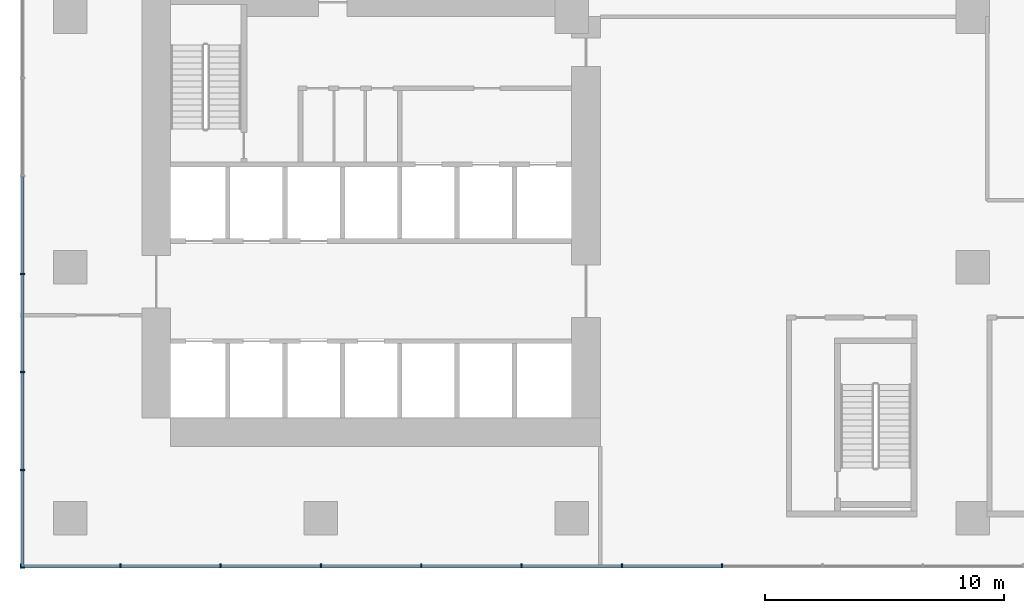
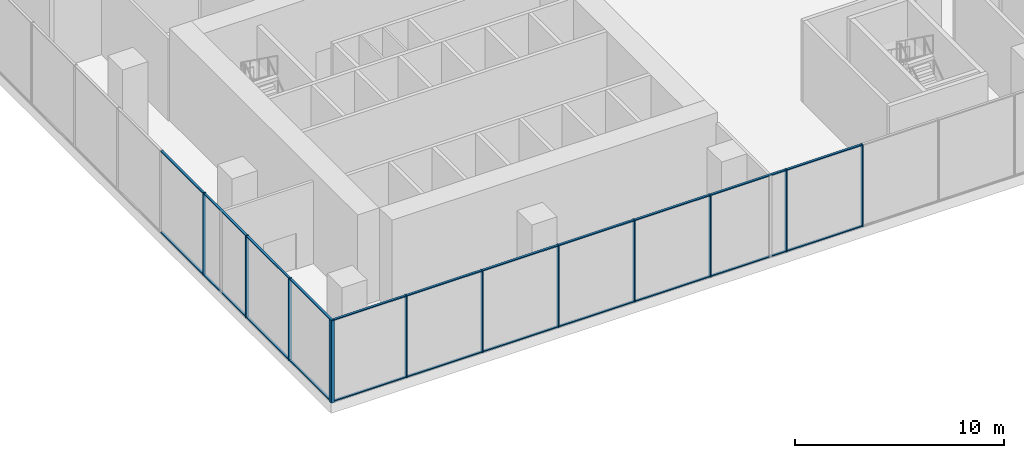
# One storey, part 2 of 24: 34 members, 2 elements without a shape of their own.
"""IFC4 building model written with IfcOpenShell, lengths in metres."""

from ifc_helpers import new_model, si_unit, direction, frame, origin, origin_2d, place, context, subcontext, project, spatial, rectangle, extrude, source, transform, mapped, material, layer, layer_set, material_profile, profile_set, type_object, element, aggregate, save


model = new_model("IFC4")

# Units and contexts
model_context = context("Model", 3, precision=1e-05, world=origin(), true_north=direction((0.0, 1.0)))
body_context = subcontext(model_context, "Body", "Model", "MODEL_VIEW")
ifc_project = project(units=[si_unit("LENGTHUNIT", "METRE"), si_unit("AREAUNIT", "SQUARE_METRE"), si_unit("VOLUMEUNIT", "CUBIC_METRE"), si_unit("PLANEANGLEUNIT", "RADIAN"), si_unit("MASSUNIT", "GRAM", prefix="KILO")], contexts=[model_context])

# Site, building, storey
site_placement = place(None, origin())
site = spatial("IfcSite", under=ifc_project, at=site_placement, CompositionType="ELEMENT")
building_placement = place(site_placement, origin())
building = spatial("IfcBuilding", under=site, at=building_placement, Name="Aurelian Terraces", CompositionType="ELEMENT")
storey_placement = place(building_placement, frame((0.0, 0.0, 12.9)))
storey = spatial("IfcBuildingStorey", under=building, at=storey_placement, Name="L02", CompositionType="ELEMENT", Elevation=12.9)

# Curtain wall, members
ifc_material_1 = material(Name="Anodised aluminium and clear glazing", Category="aluminium")
ifc_layer = layer(ifc_material_1, 0.2)
ifc_layer_set = layer_set([ifc_layer], Name="Winter garden glazing curtain wall")
curtain_wall_type = type_object("IfcCurtainWallType", Name="Winter garden glazing curtain wall", PredefinedType="NOTDEFINED", material=ifc_layer_set)
curtain_wall_1_placement = place(storey_placement, origin())
curtain_wall_1 = element("IfcCurtainWall", 1, at=curtain_wall_1_placement, inside=storey, type_object=curtain_wall_type, Name="Winter garden glazing L02 F01.1", PredefinedType="NOTDEFINED")
ifc_material_2 = material(Name="Anodised aluminium", Category="aluminium")
ifc_material_profile_1 = material_profile(ifc_material_2, rectangle(XDim=0.18, YDim=0.06, at=origin_2d()))
ifc_profile_set_1 = profile_set([ifc_material_profile_1], Name="Anodised aluminium")
member_type_1 = type_object("IfcMemberType", Name="Winter garden glazing mullion", PredefinedType="MULLION", material=ifc_profile_set_1)
member_1_placement = place(storey_placement, frame((-2.07, -2.0, 0.0), z_axis=(0.0, 0.0, 1.0), x_axis=(0.0, 1.0, 0.0)))
member_1 = element("IfcMember", 2, at=member_1_placement, type_object=member_type_1, Name="CW6 mullion 1", PredefinedType="MULLION", context=body_context, shape_type="SweptSolid", body=[
    extrude(rectangle(XDim=0.18, YDim=0.06, at=origin_2d()), origin(), (0.0, 0.0, 1.0), 4.8),
])
ifc_material_profile_2 = material_profile(ifc_material_2, rectangle(XDim=0.12, YDim=0.06, at=origin_2d()))
ifc_profile_set_2 = profile_set([ifc_material_profile_2], Name="Anodised aluminium")
member_type_2 = type_object("IfcMemberType", Name="Winter garden glazing transom", PredefinedType="USERDEFINED", material=ifc_profile_set_2)
member_2_placement = place(storey_placement, frame((-2.04, -2.0, 0.03), z_axis=(1.0, 0.0, 0.0), x_axis=(0.0, 1.0, 0.0)))
member_2 = element("IfcMember", 3, at=member_2_placement, type_object=member_type_2, Name="CW6 transom 1.1", ObjectType="TRANSOM", PredefinedType="USERDEFINED", context=body_context, shape_type="SweptSolid", body=[
    extrude(rectangle(XDim=0.12, YDim=0.06, at=origin_2d()), origin(), (0.0, 0.0, 1.0), 4.11),
])
member_3_placement = place(storey_placement, frame((2.13, -2.0, 0.03), z_axis=(1.0, 0.0, 0.0), x_axis=(0.0, 1.0, 0.0)))
member_3 = element("IfcMember", 4, at=member_3_placement, type_object=member_type_2, Name="CW6 transom 2.1", ObjectType="TRANSOM", PredefinedType="USERDEFINED", context=body_context, shape_type="SweptSolid", body=[
    extrude(rectangle(XDim=0.12, YDim=0.06, at=origin_2d()), origin(), (0.0, 0.0, 1.0), 4.14),
])
shared_shape_1 = source(origin(), body_context, "Body", "SweptSolid", [
    extrude(rectangle(XDim=0.18, YDim=0.06, at=origin_2d()), origin(), (0.0, 0.0, 1.0), 4.8),
])
member_4_placement = place(storey_placement, frame((2.1, -2.0, 0.0), z_axis=(0.0, 0.0, 1.0), x_axis=(0.0, 1.0, 0.0)))
member_4 = element("IfcMember", 5, at=member_4_placement, type_object=member_type_1, Name="CW6 mullion 2", PredefinedType="MULLION", context=body_context, shape_type="MappedRepresentation", body=[
    mapped(shared_shape_1, transform((0.0, 0.0, 0.0), scale=1.0)),
])
member_5_placement = place(storey_placement, frame((6.3, -2.0, 0.0), z_axis=(0.0, 0.0, 1.0), x_axis=(0.0, 1.0, 0.0)))
member_5 = element("IfcMember", 6, at=member_5_placement, type_object=member_type_1, Name="CW6 mullion 3", PredefinedType="MULLION", context=body_context, shape_type="MappedRepresentation", body=[
    mapped(shared_shape_1, transform((0.0, 0.0, 0.0), scale=1.0)),
])
member_6_placement = place(storey_placement, frame((10.5, -2.0, 0.0), z_axis=(0.0, 0.0, 1.0), x_axis=(0.0, 1.0, 0.0)))
member_6 = element("IfcMember", 7, at=member_6_placement, type_object=member_type_1, Name="CW6 mullion 4", PredefinedType="MULLION", context=body_context, shape_type="MappedRepresentation", body=[
    mapped(shared_shape_1, transform((0.0, 0.0, 0.0), scale=1.0)),
])
member_7_placement = place(storey_placement, frame((14.7, -2.0, 0.0), z_axis=(0.0, 0.0, 1.0), x_axis=(0.0, 1.0, 0.0)))
member_7 = element("IfcMember", 8, at=member_7_placement, type_object=member_type_1, Name="CW6 mullion 5", PredefinedType="MULLION", context=body_context, shape_type="MappedRepresentation", body=[
    mapped(shared_shape_1, transform((0.0, 0.0, 0.0), scale=1.0)),
])
member_8_placement = place(storey_placement, frame((18.9, -2.0, 0.0), z_axis=(0.0, 0.0, 1.0), x_axis=(0.0, 1.0, 0.0)))
member_8 = element("IfcMember", 9, at=member_8_placement, type_object=member_type_1, Name="CW6 mullion 6", PredefinedType="MULLION", context=body_context, shape_type="MappedRepresentation", body=[
    mapped(shared_shape_1, transform((0.0, 0.0, 0.0), scale=1.0)),
])
member_9_placement = place(storey_placement, frame((23.1, -2.0, 0.0), z_axis=(0.0, 0.0, 1.0), x_axis=(0.0, 1.0, 0.0)))
member_9 = element("IfcMember", 10, at=member_9_placement, type_object=member_type_1, Name="CW6 mullion 7", PredefinedType="MULLION", context=body_context, shape_type="MappedRepresentation", body=[
    mapped(shared_shape_1, transform((0.0, 0.0, 0.0), scale=1.0)),
])
member_10_placement = place(storey_placement, frame((27.3, -2.0, 0.0), z_axis=(0.0, 0.0, 1.0), x_axis=(0.0, 1.0, 0.0)))
member_10 = element("IfcMember", 11, at=member_10_placement, type_object=member_type_1, Name="CW6 mullion 8", PredefinedType="MULLION", context=body_context, shape_type="MappedRepresentation", body=[
    mapped(shared_shape_1, transform((0.0, 0.0, 0.0), scale=1.0)),
])

curtain_wall_2_placement = place(storey_placement, origin())
curtain_wall_2 = element("IfcCurtainWall", 12, at=curtain_wall_2_placement, inside=storey, type_object=curtain_wall_type, Name="Winter garden glazing L02 F06.1", PredefinedType="NOTDEFINED")
member_11_placement = place(storey_placement, frame((-2.0, 10.22, 0.0), z_axis=(0.0, 0.0, 1.0), x_axis=(1.0, 0.0, 0.0)))
member_11 = element("IfcMember", 13, at=member_11_placement, type_object=member_type_1, Name="CW6 mullion 16", PredefinedType="MULLION", context=body_context, shape_type="MappedRepresentation", body=[
    mapped(shared_shape_1, transform((0.0, 0.0, 0.0), scale=1.0)),
])
member_12_placement = place(storey_placement, frame((-2.0, 6.1133, 0.0), z_axis=(0.0, 0.0, 1.0), x_axis=(1.0, 0.0, 0.0)))
member_12 = element("IfcMember", 14, at=member_12_placement, type_object=member_type_1, Name="CW6 mullion 17", PredefinedType="MULLION", context=body_context, shape_type="MappedRepresentation", body=[
    mapped(shared_shape_1, transform((0.0, 0.0, 0.0), scale=1.0)),
])
member_13_placement = place(storey_placement, frame((-2.0, 2.0067, 0.0), z_axis=(0.0, 0.0, 1.0), x_axis=(1.0, 0.0, 0.0)))
member_13 = element("IfcMember", 15, at=member_13_placement, type_object=member_type_1, Name="CW6 mullion 18", PredefinedType="MULLION", context=body_context, shape_type="MappedRepresentation", body=[
    mapped(shared_shape_1, transform((0.0, 0.0, 0.0), scale=1.0)),
])
member_14_placement = place(storey_placement, frame((-2.0, -2.07, 0.0), z_axis=(0.0, 0.0, 1.0), x_axis=(1.0, 0.0, 0.0)))
member_14 = element("IfcMember", 16, at=member_14_placement, type_object=member_type_1, Name="CW6 mullion 19", PredefinedType="MULLION", context=body_context, shape_type="MappedRepresentation", body=[
    mapped(shared_shape_1, transform((0.0, 0.0, 0.0), scale=1.0)),
])

# Member
shared_shape_2 = source(origin(), body_context, "Body", "SweptSolid", [
    extrude(rectangle(XDim=0.12, YDim=0.06, at=origin_2d()), origin(), (0.0, 0.0, 1.0), 4.11),
])
member_15_placement = place(storey_placement, frame((-2.04, -2.0, 4.77), z_axis=(1.0, 0.0, 0.0), x_axis=(0.0, 1.0, 0.0)))
member_15 = element("IfcMember", 17, at=member_15_placement, type_object=member_type_2, Name="CW6 transom 1.2", ObjectType="TRANSOM", PredefinedType="USERDEFINED", context=body_context, shape_type="MappedRepresentation", body=[
    mapped(shared_shape_2, transform((0.0, 0.0, 0.0), scale=1.0)),
])

shared_shape_3 = source(origin(), body_context, "Body", "SweptSolid", [
    extrude(rectangle(XDim=0.12, YDim=0.06, at=origin_2d()), origin(), (0.0, 0.0, 1.0), 4.14),
])
member_16_placement = place(storey_placement, frame((2.13, -2.0, 4.77), z_axis=(1.0, 0.0, 0.0), x_axis=(0.0, 1.0, 0.0)))
member_16 = element("IfcMember", 18, at=member_16_placement, type_object=member_type_2, Name="CW6 transom 2.2", ObjectType="TRANSOM", PredefinedType="USERDEFINED", context=body_context, shape_type="MappedRepresentation", body=[
    mapped(shared_shape_3, transform((0.0, 0.0, 0.0), scale=1.0)),
])

member_17_placement = place(storey_placement, frame((6.33, -2.0, 0.03), z_axis=(1.0, 0.0, 0.0), x_axis=(0.0, 1.0, 0.0)))
member_17 = element("IfcMember", 19, at=member_17_placement, type_object=member_type_2, Name="CW6 transom 3.1", ObjectType="TRANSOM", PredefinedType="USERDEFINED", context=body_context, shape_type="MappedRepresentation", body=[
    mapped(shared_shape_3, transform((0.0, 0.0, 0.0), scale=1.0)),
])

member_18_placement = place(storey_placement, frame((6.33, -2.0, 4.77), z_axis=(1.0, 0.0, 0.0), x_axis=(0.0, 1.0, 0.0)))
member_18 = element("IfcMember", 20, at=member_18_placement, type_object=member_type_2, Name="CW6 transom 3.2", ObjectType="TRANSOM", PredefinedType="USERDEFINED", context=body_context, shape_type="MappedRepresentation", body=[
    mapped(shared_shape_3, transform((0.0, 0.0, 0.0), scale=1.0)),
])

member_19_placement = place(storey_placement, frame((10.53, -2.0, 0.03), z_axis=(1.0, 0.0, 0.0), x_axis=(0.0, 1.0, 0.0)))
member_19 = element("IfcMember", 21, at=member_19_placement, type_object=member_type_2, Name="CW6 transom 4.1", ObjectType="TRANSOM", PredefinedType="USERDEFINED", context=body_context, shape_type="MappedRepresentation", body=[
    mapped(shared_shape_3, transform((0.0, 0.0, 0.0), scale=1.0)),
])

member_20_placement = place(storey_placement, frame((10.53, -2.0, 4.77), z_axis=(1.0, 0.0, 0.0), x_axis=(0.0, 1.0, 0.0)))
member_20 = element("IfcMember", 22, at=member_20_placement, type_object=member_type_2, Name="CW6 transom 4.2", ObjectType="TRANSOM", PredefinedType="USERDEFINED", context=body_context, shape_type="MappedRepresentation", body=[
    mapped(shared_shape_3, transform((0.0, 0.0, 0.0), scale=1.0)),
])

member_21_placement = place(storey_placement, frame((14.73, -2.0, 0.03), z_axis=(1.0, 0.0, 0.0), x_axis=(0.0, 1.0, 0.0)))
member_21 = element("IfcMember", 23, at=member_21_placement, type_object=member_type_2, Name="CW6 transom 5.1", ObjectType="TRANSOM", PredefinedType="USERDEFINED", context=body_context, shape_type="MappedRepresentation", body=[
    mapped(shared_shape_3, transform((0.0, 0.0, 0.0), scale=1.0)),
])

member_22_placement = place(storey_placement, frame((14.73, -2.0, 4.77), z_axis=(1.0, 0.0, 0.0), x_axis=(0.0, 1.0, 0.0)))
member_22 = element("IfcMember", 24, at=member_22_placement, type_object=member_type_2, Name="CW6 transom 5.2", ObjectType="TRANSOM", PredefinedType="USERDEFINED", context=body_context, shape_type="MappedRepresentation", body=[
    mapped(shared_shape_3, transform((0.0, 0.0, 0.0), scale=1.0)),
])

member_23_placement = place(storey_placement, frame((18.93, -2.0, 0.03), z_axis=(1.0, 0.0, 0.0), x_axis=(0.0, 1.0, 0.0)))
member_23 = element("IfcMember", 25, at=member_23_placement, type_object=member_type_2, Name="CW6 transom 6.1", ObjectType="TRANSOM", PredefinedType="USERDEFINED", context=body_context, shape_type="MappedRepresentation", body=[
    mapped(shared_shape_3, transform((0.0, 0.0, 0.0), scale=1.0)),
])

member_24_placement = place(storey_placement, frame((18.93, -2.0, 4.77), z_axis=(1.0, 0.0, 0.0), x_axis=(0.0, 1.0, 0.0)))
member_24 = element("IfcMember", 26, at=member_24_placement, type_object=member_type_2, Name="CW6 transom 6.2", ObjectType="TRANSOM", PredefinedType="USERDEFINED", context=body_context, shape_type="MappedRepresentation", body=[
    mapped(shared_shape_3, transform((0.0, 0.0, 0.0), scale=1.0)),
])

member_25_placement = place(storey_placement, frame((23.13, -2.0, 0.03), z_axis=(1.0, 0.0, 0.0), x_axis=(0.0, 1.0, 0.0)))
member_25 = element("IfcMember", 27, at=member_25_placement, type_object=member_type_2, Name="CW6 transom 7.1", ObjectType="TRANSOM", PredefinedType="USERDEFINED", context=body_context, shape_type="MappedRepresentation", body=[
    mapped(shared_shape_3, transform((0.0, 0.0, 0.0), scale=1.0)),
])

member_26_placement = place(storey_placement, frame((23.13, -2.0, 4.77), z_axis=(1.0, 0.0, 0.0), x_axis=(0.0, 1.0, 0.0)))
member_26 = element("IfcMember", 28, at=member_26_placement, type_object=member_type_2, Name="CW6 transom 7.2", ObjectType="TRANSOM", PredefinedType="USERDEFINED", context=body_context, shape_type="MappedRepresentation", body=[
    mapped(shared_shape_3, transform((0.0, 0.0, 0.0), scale=1.0)),
])

aggregate(curtain_wall_1, [member_1, member_4, member_5, member_6, member_7, member_8, member_9, member_10, member_2, member_15, member_3, member_16, member_17, member_18, member_19, member_20, member_21, member_22, member_23, member_24, member_25, member_26])

shared_shape_4 = source(origin(), body_context, "Body", "SweptSolid", [
    extrude(rectangle(XDim=0.12, YDim=0.06, at=origin_2d()), origin(), (0.0, 0.0, 1.0), 4.0167),
])
member_27_placement = place(storey_placement, frame((-2.0, 1.9767, 0.03), z_axis=(0.0, -1.0, 0.0), x_axis=(1.0, 0.0, 0.0)))
member_27 = element("IfcMember", 29, at=member_27_placement, type_object=member_type_2, Name="CW6 transom 18.1", ObjectType="TRANSOM", PredefinedType="USERDEFINED", context=body_context, shape_type="MappedRepresentation", body=[
    mapped(shared_shape_4, transform((0.0, 0.0, 0.0), scale=1.0)),
])

member_28_placement = place(storey_placement, frame((-2.0, 1.9767, 4.77), z_axis=(0.0, -1.0, 0.0), x_axis=(1.0, 0.0, 0.0)))
member_28 = element("IfcMember", 30, at=member_28_placement, type_object=member_type_2, Name="CW6 transom 18.2", ObjectType="TRANSOM", PredefinedType="USERDEFINED", context=body_context, shape_type="MappedRepresentation", body=[
    mapped(shared_shape_4, transform((0.0, 0.0, 0.0), scale=1.0)),
])

shared_shape_5 = source(origin(), body_context, "Body", "SweptSolid", [
    extrude(rectangle(XDim=0.12, YDim=0.06, at=origin_2d()), origin(), (0.0, 0.0, 1.0), 4.0466),
])
member_29_placement = place(storey_placement, frame((-2.0, 6.0833, 0.03), z_axis=(0.0, -1.0, 0.0), x_axis=(1.0, 0.0, 0.0)))
member_29 = element("IfcMember", 31, at=member_29_placement, type_object=member_type_2, Name="CW6 transom 17.1", ObjectType="TRANSOM", PredefinedType="USERDEFINED", context=body_context, shape_type="MappedRepresentation", body=[
    mapped(shared_shape_5, transform((0.0, 0.0, 0.0), scale=1.0)),
])

member_30_placement = place(storey_placement, frame((-2.0, 6.0833, 4.77), z_axis=(0.0, -1.0, 0.0), x_axis=(1.0, 0.0, 0.0)))
member_30 = element("IfcMember", 32, at=member_30_placement, type_object=member_type_2, Name="CW6 transom 17.2", ObjectType="TRANSOM", PredefinedType="USERDEFINED", context=body_context, shape_type="MappedRepresentation", body=[
    mapped(shared_shape_5, transform((0.0, 0.0, 0.0), scale=1.0)),
])

shared_shape_6 = source(origin(), body_context, "Body", "SweptSolid", [
    extrude(rectangle(XDim=0.12, YDim=0.06, at=origin_2d()), origin(), (0.0, 0.0, 1.0), 4.0467),
])
member_31_placement = place(storey_placement, frame((-2.0, 14.2967, 0.03), z_axis=(0.0, -1.0, 0.0), x_axis=(1.0, 0.0, 0.0)))
member_31 = element("IfcMember", 33, at=member_31_placement, type_object=member_type_2, Name="CW6 transom 15.1", ObjectType="TRANSOM", PredefinedType="USERDEFINED", context=body_context, shape_type="MappedRepresentation", body=[
    mapped(shared_shape_6, transform((0.0, 0.0, 0.0), scale=1.0)),
])

member_32_placement = place(storey_placement, frame((-2.0, 14.2967, 4.77), z_axis=(0.0, -1.0, 0.0), x_axis=(1.0, 0.0, 0.0)))
member_32 = element("IfcMember", 34, at=member_32_placement, type_object=member_type_2, Name="CW6 transom 15.2", ObjectType="TRANSOM", PredefinedType="USERDEFINED", context=body_context, shape_type="MappedRepresentation", body=[
    mapped(shared_shape_6, transform((0.0, 0.0, 0.0), scale=1.0)),
])

member_33_placement = place(storey_placement, frame((-2.0, 10.19, 0.03), z_axis=(0.0, -1.0, 0.0), x_axis=(1.0, 0.0, 0.0)))
member_33 = element("IfcMember", 35, at=member_33_placement, type_object=member_type_2, Name="CW6 transom 16.1", ObjectType="TRANSOM", PredefinedType="USERDEFINED", context=body_context, shape_type="MappedRepresentation", body=[
    mapped(shared_shape_6, transform((0.0, 0.0, 0.0), scale=1.0)),
])

member_34_placement = place(storey_placement, frame((-2.0, 10.19, 4.77), z_axis=(0.0, -1.0, 0.0), x_axis=(1.0, 0.0, 0.0)))
member_34 = element("IfcMember", 36, at=member_34_placement, type_object=member_type_2, Name="CW6 transom 16.2", ObjectType="TRANSOM", PredefinedType="USERDEFINED", context=body_context, shape_type="MappedRepresentation", body=[
    mapped(shared_shape_6, transform((0.0, 0.0, 0.0), scale=1.0)),
])

aggregate(curtain_wall_2, [member_11, member_12, member_13, member_14, member_31, member_32, member_33, member_34, member_29, member_30, member_27, member_28])

save(model, "model.ifc")
